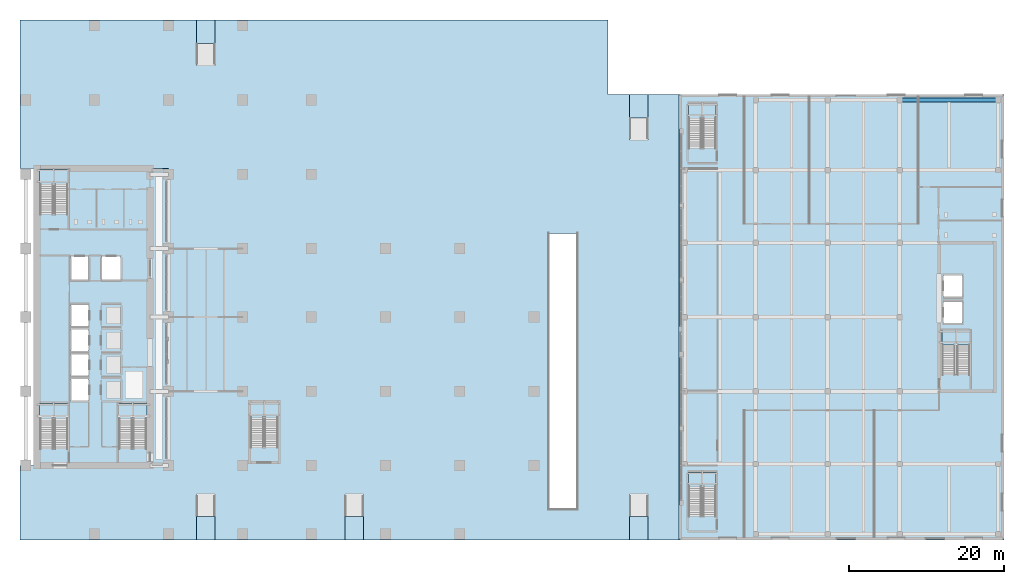
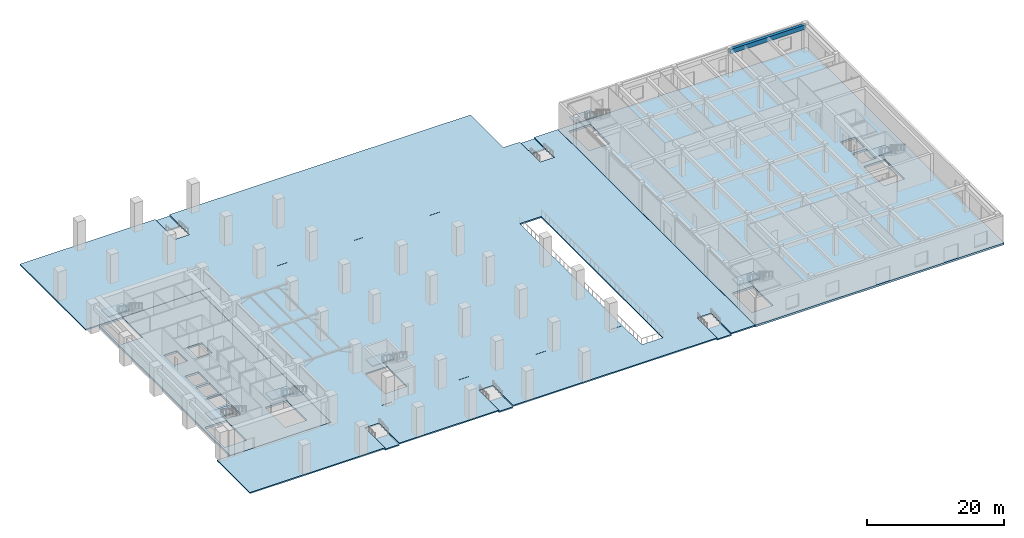
# One storey, part 3 of 24: 15 slabs, 1 beam, 7 elements without a shape of their own.
"""IFC4 building model written with IfcOpenShell, lengths in metres."""

from ifc_helpers import new_model, si_unit, direction, frame, origin, origin_2d, place, context, subcontext, project, spatial, polyline, rectangle, outline, extrude, material, layer, layer_set, material_profile, profile_set, type_object, element, aggregate, save


model = new_model("IFC4")

# Units and contexts
model_context = context("Model", 3, precision=1e-05, world=origin(), true_north=direction((0.0, 1.0)))
body_context = subcontext(model_context, "Body", "Model", "MODEL_VIEW")
ifc_project = project(units=[si_unit("LENGTHUNIT", "METRE"), si_unit("AREAUNIT", "SQUARE_METRE"), si_unit("VOLUMEUNIT", "CUBIC_METRE"), si_unit("PLANEANGLEUNIT", "RADIAN"), si_unit("MASSUNIT", "GRAM", prefix="KILO")], contexts=[model_context])

# Site, building, storey
site_placement = place(None, origin())
site = spatial("IfcSite", under=ifc_project, at=site_placement, CompositionType="ELEMENT")
building_placement = place(site_placement, origin())
building = spatial("IfcBuilding", under=site, at=building_placement, Name="Norrvale University Quadrangle", CompositionType="ELEMENT")
storey_placement = place(building_placement, origin())
storey = spatial("IfcBuildingStorey", under=building, at=storey_placement, Name="L00", CompositionType="ELEMENT", Elevation=0.0)

# Beam
ifc_material_1 = material(Name="Concrete C60/75", Category="concrete")
ifc_material_profile = material_profile(ifc_material_1, rectangle(XDim=0.5, YDim=0.800048828125, at=origin_2d()), Name="Concrete C60/75")
ifc_profile_set = profile_set([ifc_material_profile], Name="Concrete C60/75")
beam_type = type_object("IfcBeamType", Name="Beam Lib 500x800", PredefinedType="BEAM", material=ifc_profile_set)
beam_placement = place(storey_placement, frame((113.699951171875, 56.85009765625, 4.449951171875), z_axis=(1.0, 0.0, 0.0), x_axis=(0.0, 1.0, 0.0)))
element("IfcBeam", 1, at=beam_placement, inside=storey, type_object=beam_type, Name="Beam Lib 500x800 BM-L00-LGX023", PredefinedType="BEAM", context=body_context, shape_type="SweptSolid", body=[
    extrude(rectangle(XDim=0.5, YDim=0.800048828125, at=origin_2d()), origin(), (0.0, 0.0, 1.0), 12.75),
])

# Slabs
ifc_material_2 = material(Name="Concrete C40/50 with Flamed Granite Paving", Category="concrete")
ifc_layer_1 = layer(ifc_material_2, 0.219970703125, Name="Concrete C40/50 with Flamed Granite Paving")
ifc_layer_set_1 = layer_set([ifc_layer_1], Name="Concrete C40/50 with Flamed Granite Paving")
slab_type_1 = type_object("IfcSlabType", Name="Slab Granite Paving 220", PredefinedType="USERDEFINED", material=ifc_layer_set_1)
slab_1_placement = place(storey_placement, frame((0.0, 0.0, -0.219970703125)))
element("IfcSlab", 2, at=slab_1_placement, inside=storey, type_object=slab_type_1, Name="Snow-Melted Granite Quadrangle Plaza", ObjectType="PAVING", PredefinedType="USERDEFINED", context=body_context, shape_type="SweptSolid", body=[
    extrude(outline(polyline([(42.0, 0.0), (25.199951171875, 0.0), (25.199951171875, 5.8798828125), (22.800048828125, 5.8798828125), (22.800048828125, 0.0), (0.0, 0.0), (0.0, 9.594970703125), (2.195068359375, 9.594970703125), (19.205078125, 9.594970703125), (68.39990234375, 9.594970703125), (68.39990234375, 4.0), (72.0, 4.0), (72.0, 39.60009765625), (68.39990234375, 39.60009765625), (68.39990234375, 9.60009765625), (19.205078125, 9.60009765625), (19.205078125, 48.0), (68.39990234375, 48.0), (68.39990234375, 48.0048828125), (19.205078125, 48.0048828125), (2.195068359375, 48.0048828125), (0.0, 48.0048828125), (0.0, 67.199951171875), (22.800048828125, 67.199951171875), (22.800048828125, 61.320068359375), (25.199951171875, 61.320068359375), (25.199951171875, 67.199951171875), (68.39990234375, 67.199951171875), (76.0, 67.199951171875), (76.0, 57.60009765625), (78.800048828125, 57.60009765625), (78.800048828125, 51.719970703125), (81.199951171875, 51.719970703125), (81.199951171875, 57.60009765625), (85.195068359375, 57.60009765625), (85.195068359375, 0.0), (81.199951171875, 0.0), (81.199951171875, 5.8798828125), (78.800048828125, 5.8798828125), (78.800048828125, 0.0), (76.0, 0.0), (68.39990234375, 0.0), (44.39990234375, 0.0), (44.39990234375, 5.8798828125), (42.0, 5.8798828125), (42.0, 0.0)]), holes=[polyline([(29.75, 17.800048828125), (29.75, 11.9599609375), (33.39990234375, 11.9599609375), (33.39990234375, 17.800048828125), (29.75, 17.800048828125)])]), origin(), (0.0, 0.0, 1.0), 0.219970703125),
])
slab_2_placement = place(storey_placement, frame((0.0, 0.0, -0.4599609375)))
element("IfcSlab", 3, at=slab_2_placement, inside=storey, type_object=slab_type_1, Name="Recessed Street Threshold Apron S1", ObjectType="PAVING", PredefinedType="USERDEFINED", context=body_context, shape_type="SweptSolid", body=[
    extrude(outline(polyline([(22.800048828125, 0.0), (25.199951171875, 0.0), (25.199951171875, 3.050048828125), (22.800048828125, 3.050048828125), (22.800048828125, 0.0)])), origin(), (0.0, 0.0, 1.0), 0.219970703125),
])
slab_3_placement = place(storey_placement, frame((0.0, 0.0, -0.4599609375)))
element("IfcSlab", 4, at=slab_3_placement, inside=storey, type_object=slab_type_1, Name="Recessed Street Threshold Apron S2", ObjectType="PAVING", PredefinedType="USERDEFINED", context=body_context, shape_type="SweptSolid", body=[
    extrude(outline(polyline([(42.0, 0.0), (44.39990234375, 0.0), (44.39990234375, 3.050048828125), (42.0, 3.050048828125), (42.0, 0.0)])), origin(), (0.0, 0.0, 1.0), 0.219970703125),
])
slab_4_placement = place(storey_placement, frame((0.0, 0.0, -0.4599609375)))
element("IfcSlab", 5, at=slab_4_placement, inside=storey, type_object=slab_type_1, Name="Recessed Street Threshold Apron S3", ObjectType="PAVING", PredefinedType="USERDEFINED", context=body_context, shape_type="SweptSolid", body=[
    extrude(outline(polyline([(78.800048828125, 0.0), (81.199951171875, 0.0), (81.199951171875, 3.050048828125), (78.800048828125, 3.050048828125), (78.800048828125, 0.0)])), origin(), (0.0, 0.0, 1.0), 0.219970703125),
])
slab_5_placement = place(storey_placement, frame((0.0, 0.0, -0.4599609375)))
element("IfcSlab", 6, at=slab_5_placement, inside=storey, type_object=slab_type_1, Name="Recessed Street Threshold Apron N1", ObjectType="PAVING", PredefinedType="USERDEFINED", context=body_context, shape_type="SweptSolid", body=[
    extrude(outline(polyline([(22.800048828125, 64.14990234375), (25.199951171875, 64.14990234375), (25.199951171875, 67.199951171875), (22.800048828125, 67.199951171875), (22.800048828125, 64.14990234375)])), origin(), (0.0, 0.0, 1.0), 0.219970703125),
])
slab_6_placement = place(storey_placement, frame((0.0, 0.0, -0.4599609375)))
element("IfcSlab", 7, at=slab_6_placement, inside=storey, type_object=slab_type_1, Name="Recessed Street Threshold Apron Q1", ObjectType="PAVING", PredefinedType="USERDEFINED", context=body_context, shape_type="SweptSolid", body=[
    extrude(outline(polyline([(78.800048828125, 54.550048828125), (81.199951171875, 54.550048828125), (81.199951171875, 57.60009765625), (78.800048828125, 57.60009765625), (78.800048828125, 54.550048828125)])), origin(), (0.0, 0.0, 1.0), 0.219970703125),
])

# Stair, slab
ifc_material_3 = material(Name="Concrete C40/50", Category="concrete")
stair_type = type_object("IfcStairType", Name="Stair Tower Tall 5200", PredefinedType="TWO_STRAIGHT_RUN_STAIR", material=ifc_material_3)
stair_1_placement = place(storey_placement, origin())
stair_1 = element("IfcStair", 8, at=stair_1_placement, inside=storey, type_object=stair_type, Name="Exit Stair ST-01 L00", PredefinedType="TWO_STRAIGHT_RUN_STAIR")
ifc_layer_2 = layer(ifc_material_3, 0.199951171875, Name="Concrete C40/50")
ifc_layer_set_2 = layer_set([ifc_layer_2], Name="Concrete C40/50")
slab_type_2 = type_object("IfcSlabType", Name="Slab Landing 200", PredefinedType="LANDING", material=ifc_layer_set_2)
slab_7_placement = place(storey_placement, frame((0.0, 0.0, 2.39990234375)))
slab_7 = element("IfcSlab", 9, at=slab_7_placement, type_object=slab_type_2, Name="Exit Stair ST-01 L00 Mid Landing", PredefinedType="LANDING", context=body_context, shape_type="SweptSolid", body=[
    extrude(outline(polyline([(2.550048828125, 15.610107421875), (6.199951171875, 15.610107421875), (6.199951171875, 17.64990234375), (2.550048828125, 17.64990234375), (2.550048828125, 15.610107421875)])), origin(), (0.0, 0.0, 1.0), 0.2001953125),
])
aggregate(stair_1, [slab_7])

stair_2_placement = place(storey_placement, origin())
stair_2 = element("IfcStair", 10, at=stair_2_placement, inside=storey, type_object=stair_type, Name="Exit Stair ST-02 L00", PredefinedType="TWO_STRAIGHT_RUN_STAIR")
slab_8_placement = place(storey_placement, frame((0.0, 0.0, 2.39990234375)))
slab_8 = element("IfcSlab", 11, at=slab_8_placement, type_object=slab_type_2, Name="Exit Stair ST-02 L00 Mid Landing", PredefinedType="LANDING", context=body_context, shape_type="SweptSolid", body=[
    extrude(outline(polyline([(2.550048828125, 45.909912109375), (6.199951171875, 45.909912109375), (6.199951171875, 47.949951171875), (2.550048828125, 47.949951171875), (2.550048828125, 45.909912109375)])), origin(), (0.0, 0.0, 1.0), 0.2001953125),
])
aggregate(stair_2, [slab_8])

stair_3_placement = place(storey_placement, origin())
stair_3 = element("IfcStair", 12, at=stair_3_placement, inside=storey, type_object=stair_type, Name="Exit Stair ST-03 L00", PredefinedType="TWO_STRAIGHT_RUN_STAIR")
slab_9_placement = place(storey_placement, frame((0.0, 0.0, 2.39990234375)))
slab_9 = element("IfcSlab", 13, at=slab_9_placement, type_object=slab_type_2, Name="Exit Stair ST-03 L00 Mid Landing", PredefinedType="LANDING", context=body_context, shape_type="SweptSolid", body=[
    extrude(outline(polyline([(12.75, 15.610107421875), (16.39990234375, 15.610107421875), (16.39990234375, 17.64990234375), (12.75, 17.64990234375), (12.75, 15.610107421875)])), origin(), (0.0, 0.0, 1.0), 0.2001953125),
])
aggregate(stair_3, [slab_9])

stair_4_placement = place(storey_placement, origin())
stair_4 = element("IfcStair", 14, at=stair_4_placement, inside=storey, type_object=stair_type, Name="Exit Stair ST-04 L00", PredefinedType="TWO_STRAIGHT_RUN_STAIR")
slab_10_placement = place(storey_placement, frame((0.0, 0.0, 2.39990234375)))
slab_10 = element("IfcSlab", 15, at=slab_10_placement, type_object=slab_type_2, Name="Exit Stair ST-04 L00 Mid Landing", PredefinedType="LANDING", context=body_context, shape_type="SweptSolid", body=[
    extrude(outline(polyline([(29.75, 15.760009765625), (33.39990234375, 15.760009765625), (33.39990234375, 17.800048828125), (29.75, 17.800048828125), (29.75, 15.760009765625)])), origin(), (0.0, 0.0, 1.0), 0.2001953125),
])
aggregate(stair_4, [slab_10])

stair_5_placement = place(storey_placement, origin())
stair_5 = element("IfcStair", 16, at=stair_5_placement, inside=storey, type_object=stair_type, Name="Exit Stair ST-L1 L00", PredefinedType="TWO_STRAIGHT_RUN_STAIR")
slab_11_placement = place(storey_placement, frame((0.0, 0.0, 2.39990234375)))
slab_11 = element("IfcSlab", 17, at=slab_11_placement, type_object=slab_type_2, Name="Exit Stair ST-L1 L00 Mid Landing", PredefinedType="LANDING", context=body_context, shape_type="SweptSolid", body=[
    extrude(outline(polyline([(119.199951171875, 25.159912109375), (122.800048828125, 25.159912109375), (122.800048828125, 27.10009765625), (119.199951171875, 27.10009765625), (119.199951171875, 25.159912109375)])), origin(), (0.0, 0.0, 1.0), 0.2001953125),
])
aggregate(stair_5, [slab_11])

stair_6_placement = place(storey_placement, origin())
stair_6 = element("IfcStair", 18, at=stair_6_placement, inside=storey, type_object=stair_type, Name="Exit Stair ST-L2 L00", PredefinedType="TWO_STRAIGHT_RUN_STAIR")
slab_12_placement = place(storey_placement, frame((0.0, 0.0, 2.39990234375)))
slab_12 = element("IfcSlab", 19, at=slab_12_placement, type_object=slab_type_2, Name="Exit Stair ST-L2 L00 Mid Landing", PredefinedType="LANDING", context=body_context, shape_type="SweptSolid", body=[
    extrude(outline(polyline([(86.39990234375, 6.860107421875), (90.0, 6.860107421875), (90.0, 8.800048828125), (86.39990234375, 8.800048828125), (86.39990234375, 6.860107421875)])), origin(), (0.0, 0.0, 1.0), 0.2001953125),
])
aggregate(stair_6, [slab_12])

stair_7_placement = place(storey_placement, origin())
stair_7 = element("IfcStair", 20, at=stair_7_placement, inside=storey, type_object=stair_type, Name="Exit Stair ST-L3 L00", PredefinedType="TWO_STRAIGHT_RUN_STAIR")
slab_13_placement = place(storey_placement, frame((0.0, 0.0, 2.39990234375)))
slab_13 = element("IfcSlab", 21, at=slab_13_placement, type_object=slab_type_2, Name="Exit Stair ST-L3 L00 Mid Landing", PredefinedType="LANDING", context=body_context, shape_type="SweptSolid", body=[
    extrude(outline(polyline([(86.39990234375, 54.4599609375), (90.0, 54.4599609375), (90.0, 56.39990234375), (86.39990234375, 56.39990234375), (86.39990234375, 54.4599609375)])), origin(), (0.0, 0.0, 1.0), 0.2001953125),
])
aggregate(stair_7, [slab_13])

# Slabs
ifc_layer_3 = layer(ifc_material_3, 0.35009765625, Name="Concrete C40/50")
ifc_layer_set_3 = layer_set([ifc_layer_3], Name="Concrete C40/50")
slab_type_3 = type_object("IfcSlabType", Name="Slab Lib Stack 350", PredefinedType="FLOOR", material=ifc_layer_set_3)
slab_14_placement = place(storey_placement, frame((0.0, 0.0, -0.35009765625)))
element("IfcSlab", 22, at=slab_14_placement, inside=storey, type_object=slab_type_3, Name="Central Library L00 Floor Slab", PredefinedType="FLOOR", context=body_context, shape_type="SweptSolid", body=[
    extrude(outline(polyline([(85.199951171875, 0.0), (127.199951171875, 0.0), (127.199951171875, 57.60009765625), (85.199951171875, 57.60009765625), (85.199951171875, 0.0)]), holes=[polyline([(119.199951171875, 21.360107421875), (122.800048828125, 21.360107421875), (122.800048828125, 27.10009765625), (119.199951171875, 27.10009765625), (119.199951171875, 21.360107421875)]), polyline([(86.39990234375, 3.06005859375), (90.0, 3.06005859375), (90.0, 8.800048828125), (86.39990234375, 8.800048828125), (86.39990234375, 3.06005859375)]), polyline([(86.39990234375, 50.659912109375), (90.0, 50.659912109375), (90.0, 56.39990234375), (86.39990234375, 56.39990234375), (86.39990234375, 50.659912109375)]), polyline([(119.39990234375, 28.0), (121.800048828125, 28.0), (121.800048828125, 30.800048828125), (119.39990234375, 30.800048828125), (119.39990234375, 28.0)]), polyline([(119.39990234375, 31.39990234375), (121.800048828125, 31.39990234375), (121.800048828125, 34.199951171875), (119.39990234375, 34.199951171875), (119.39990234375, 31.39990234375)])]), origin(), (0.0, 0.0, 1.0), 0.35009765625),
])
ifc_layer_4 = layer(ifc_material_3, 0.340087890625, Name="Concrete C40/50")
ifc_layer_set_4 = layer_set([ifc_layer_4], Name="Concrete C40/50")
slab_type_4 = type_object("IfcSlabType", Name="Slab Podium 340", PredefinedType="FLOOR", material=ifc_layer_set_4)
slab_15_placement = place(storey_placement, frame((0.0, 0.0, -0.340087890625)))
element("IfcSlab", 23, at=slab_15_placement, inside=storey, type_object=slab_type_4, Name="Tower Ground Lobby Floor Slab", PredefinedType="FLOOR", context=body_context, shape_type="SweptSolid", body=[
    extrude(outline(polyline([(2.199951171875, 9.60009765625), (19.199951171875, 9.60009765625), (19.199951171875, 48.0), (2.199951171875, 48.0), (2.199951171875, 9.60009765625)]), holes=[polyline([(2.550048828125, 11.81005859375), (6.199951171875, 11.81005859375), (6.199951171875, 17.64990234375), (2.550048828125, 17.64990234375), (2.550048828125, 11.81005859375)]), polyline([(2.550048828125, 42.110107421875), (6.199951171875, 42.110107421875), (6.199951171875, 47.949951171875), (2.550048828125, 47.949951171875), (2.550048828125, 42.110107421875)]), polyline([(12.75, 11.81005859375), (16.39990234375, 11.81005859375), (16.39990234375, 17.64990234375), (12.75, 17.64990234375), (12.75, 11.81005859375)]), polyline([(6.60009765625, 18.0), (8.85009765625, 18.0), (8.85009765625, 20.800048828125), (6.60009765625, 20.800048828125), (6.60009765625, 18.0)]), polyline([(6.60009765625, 21.199951171875), (8.85009765625, 21.199951171875), (8.85009765625, 24.0), (6.60009765625, 24.0), (6.60009765625, 21.199951171875)]), polyline([(6.60009765625, 24.39990234375), (8.85009765625, 24.39990234375), (8.85009765625, 27.199951171875), (6.60009765625, 27.199951171875), (6.60009765625, 24.39990234375)]), polyline([(6.60009765625, 27.60009765625), (8.85009765625, 27.60009765625), (8.85009765625, 30.39990234375), (6.60009765625, 30.39990234375), (6.60009765625, 27.60009765625)]), polyline([(6.60009765625, 33.60009765625), (8.85009765625, 33.60009765625), (8.85009765625, 36.60009765625), (6.60009765625, 36.60009765625), (6.60009765625, 33.60009765625)]), polyline([(10.60009765625, 33.60009765625), (13.0, 33.60009765625), (13.0, 36.60009765625), (10.60009765625, 36.60009765625), (10.60009765625, 33.60009765625)])]), origin(), (0.0, 0.0, 1.0), 0.340087890625),
])

save(model, "model.ifc")
